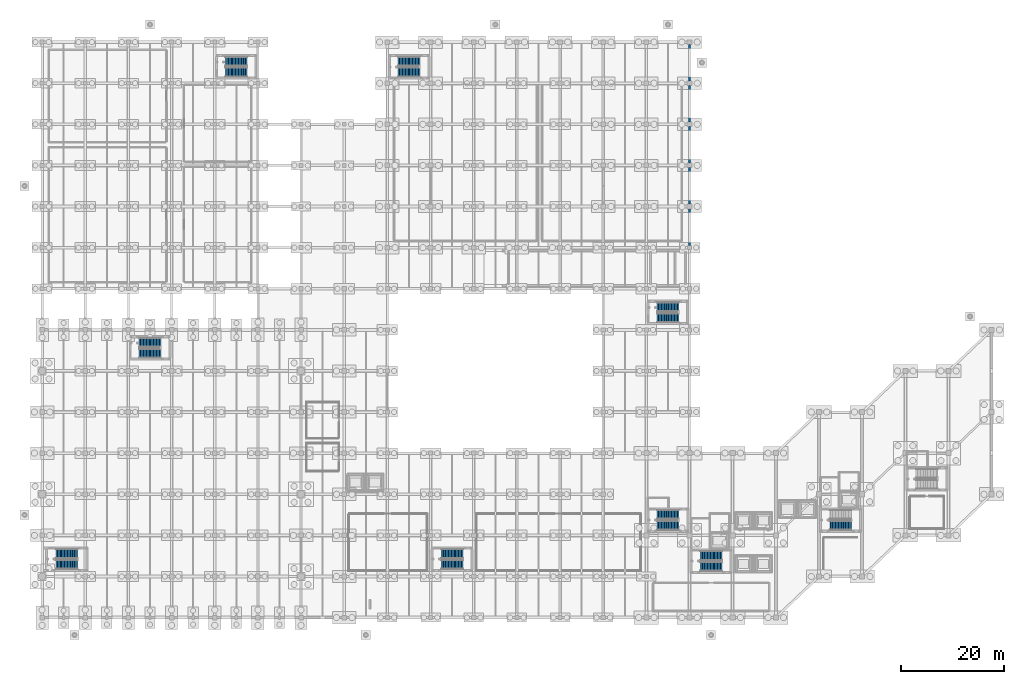
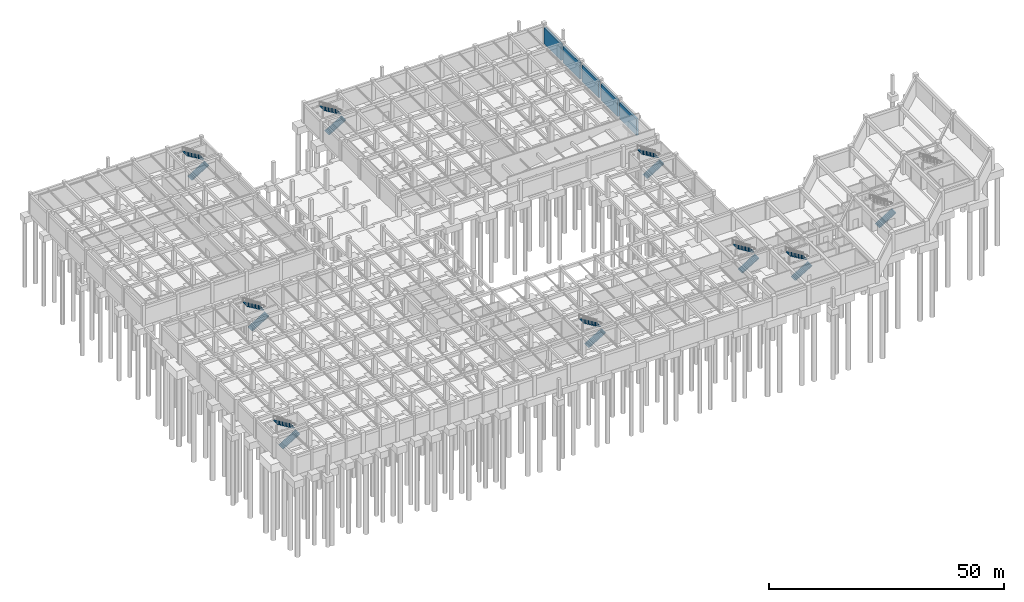
# One storey, part 44 of 56: 17 stair flights, 5 walls, 9 elements without a shape of their own.
"""IFC4 building model written with IfcOpenShell, lengths in metres."""

from ifc_helpers import new_model, si_unit, direction, frame, frame_2d, origin, place, context, subcontext, project, spatial, polyline, rectangle, outline, extrude, material, layer, layer_set, type_object, element, aggregate, save


model = new_model("IFC4")

# Units and contexts
model_context = context("Model", 3, precision=1e-05, world=origin(), true_north=direction((0.0, 1.0)))
body_context = subcontext(model_context, "Body", "Model", "MODEL_VIEW")
ifc_project = project(units=[si_unit("LENGTHUNIT", "METRE"), si_unit("AREAUNIT", "SQUARE_METRE"), si_unit("VOLUMEUNIT", "CUBIC_METRE"), si_unit("PLANEANGLEUNIT", "RADIAN"), si_unit("MASSUNIT", "GRAM", prefix="KILO")], contexts=[model_context])

# Site, building, storey
site_placement = place(None, origin())
site = spatial("IfcSite", under=ifc_project, at=site_placement, CompositionType="ELEMENT")
building_placement = place(site_placement, origin())
building = spatial("IfcBuilding", under=site, at=building_placement, Name="Naruveol Harbour Congress Hotel", CompositionType="ELEMENT")
storey_placement = place(building_placement, frame((0.0, 0.0, -5.39990234375)))
storey = spatial("IfcBuildingStorey", under=building, at=storey_placement, Name="B01", CompositionType="ELEMENT", Elevation=-5.39990234375)

# Walls
ifc_material_1 = material(Name="Concrete C40/50", Category="concrete")
ifc_layer = layer(ifc_material_1, 0.449951171875)
ifc_layer_set = layer_set([ifc_layer], Name="Concrete C40/50")
wall_type = type_object("IfcWallType", Name="RC BASEMENT RETAINING WALL 450", PredefinedType="USERDEFINED", material=ifc_layer_set)
for number, where, z_axis, x_axis, name in (
    (1, (126.0, 111.550048828125, 0.0), (0.0, 0.0, 1.0), (0.0, -1.0, 0.0), "Basement east retaining wall RW-450"),
    (2, (126.0, 103.550048828125, 0.0), (0.0, 0.0, 1.0), (0.0, -1.0, 0.0), "Basement east retaining wall RW-450"),
    (3, (126.0, 95.550048828125, 0.0), (0.0, 0.0, 1.0), (0.0, -1.0, 0.0), "Basement east retaining wall RW-450"),
    (4, (126.0, 87.550048828125, 0.0), (0.0, 0.0, 1.0), (0.0, -1.0, 0.0), "Basement east retaining wall RW-450"),
):
    element("IfcWall", number, at=place(storey_placement, frame(where, z_axis=z_axis, x_axis=x_axis)), inside=storey, type_object=wall_type, Name=name, ObjectType="RETAININGWALL", PredefinedType="USERDEFINED", context=body_context, shape_type="SweptSolid", body=[
        extrude(rectangle(XDim=7.10009765625, YDim=0.449951171875, at=frame_2d((3.550048828125, 0.0))), origin(), (0.0, 0.0, 1.0), 4.2998046875),
    ])
wall_placement = place(storey_placement, frame((126.0, 79.550048828125, 0.0), z_axis=(0.0, 0.0, 1.0), x_axis=(0.0, -1.0, 0.0)))
element("IfcWall", 5, at=wall_placement, inside=storey, type_object=wall_type, Name="Basement east retaining wall RW-450", ObjectType="RETAININGWALL", PredefinedType="USERDEFINED", context=body_context, shape_type="SweptSolid", body=[
    extrude(rectangle(XDim=7.150146484375, YDim=0.449951171875, at=frame_2d((3.5751953125, 0.0))), origin(), (0.0, 0.0, 1.0), 4.2998046875),
])

# Stair, stair flights
ifc_material_2 = material(Name="Concrete C40/50", Category="concrete")
stair_type = type_object("IfcStairType", Name="RC DOG LEG ESCAPE STAIR 1800W H5400", PredefinedType="HALF_TURN_STAIR", material=ifc_material_2)
stair_1_placement = place(storey_placement, origin())
stair_1 = element("IfcStair", 6, at=stair_1_placement, inside=storey, type_object=stair_type, Name="Special Escape Stair ST1 B01 to L00", PredefinedType="HALF_TURN_STAIR")
ifc_material_3 = material(Name="Concrete C40/50", Category="concrete")
stair_flight_type = type_object("IfcStairFlightType", Name="RC STRAIGHT STAIR FLIGHT 1800W R16", PredefinedType="STRAIGHT", material=ifc_material_3)
stair_flight_1_placement = place(storey_placement, frame((128.10009765625, 9.919921875, 0.0), z_axis=(0.0, 0.0, 1.0), x_axis=(1.0, 0.0, 0.0)))
stair_flight_1 = element("IfcStairFlight", 7, at=stair_flight_1_placement, type_object=stair_flight_type, Name="ST1 B01 lower flight", NumberOfRisers=16, NumberOfTreads=15, PredefinedType="STRAIGHT", RiserHeight=0.16875, TreadLength=0.28, context=body_context, shape_type="SweptSolid", body=[
    extrude(outline(polyline([(0.0, 0.0), (0.0, 0.168701171875), (0.280029296875, 0.168701171875), (0.280029296875, 0.33740234375), (0.56005859375, 0.33740234375), (0.56005859375, 0.50634765625), (0.840087890625, 0.50634765625), (0.840087890625, 0.675048828125), (1.1201171875, 0.675048828125), (1.1201171875, 0.84375), (1.39990234375, 0.84375), (1.39990234375, 1.012451171875), (1.679931640625, 1.012451171875), (1.679931640625, 1.18115234375), (1.9599609375, 1.18115234375), (1.9599609375, 1.35009765625), (2.239990234375, 1.35009765625), (2.239990234375, 1.518798828125), (2.52001953125, 1.518798828125), (2.52001953125, 1.6875), (2.800048828125, 1.6875), (2.800048828125, 1.856201171875), (3.080078125, 1.856201171875), (3.080078125, 2.02490234375), (3.360107421875, 2.02490234375), (3.360107421875, 2.19384765625), (3.639892578125, 2.19384765625), (3.639892578125, 2.362548828125), (3.919921875, 2.362548828125), (3.919921875, 2.53125), (4.199951171875, 2.53125), (4.199951171875, 2.699951171875), (4.199951171875, 2.344482421875), (0.309814453125, 0.0), (0.0, 0.0)])), frame((0.0, 0.89990234375, 0.0), z_axis=(0.0, -1.0, 0.0), x_axis=(1.0, 0.0, 0.0)), (0.0, 0.0, 1.0), 1.800048828125),
])
stair_flight_2_placement = place(storey_placement, frame((132.300048828125, 12.0400390625, 2.699951171875), z_axis=(0.0, 0.0, 1.0), x_axis=(-1.0, 0.0, 0.0)))
stair_flight_2 = element("IfcStairFlight", 8, at=stair_flight_2_placement, type_object=stair_flight_type, Name="ST1 B01 upper flight", NumberOfRisers=16, NumberOfTreads=15, PredefinedType="STRAIGHT", RiserHeight=0.16875, TreadLength=0.28, context=body_context, shape_type="SweptSolid", body=[
    extrude(outline(polyline([(0.0, 0.0), (0.0, 0.168701171875), (0.280029296875, 0.168701171875), (0.280029296875, 0.33740234375), (0.56005859375, 0.33740234375), (0.56005859375, 0.50634765625), (0.840087890625, 0.50634765625), (0.840087890625, 0.675048828125), (1.1201171875, 0.675048828125), (1.1201171875, 0.84375), (1.39990234375, 0.84375), (1.39990234375, 1.012451171875), (1.679931640625, 1.012451171875), (1.679931640625, 1.18115234375), (1.9599609375, 1.18115234375), (1.9599609375, 1.35009765625), (2.239990234375, 1.35009765625), (2.239990234375, 1.518798828125), (2.52001953125, 1.518798828125), (2.52001953125, 1.6875), (2.800048828125, 1.6875), (2.800048828125, 1.856201171875), (3.080078125, 1.856201171875), (3.080078125, 2.02490234375), (3.360107421875, 2.02490234375), (3.360107421875, 2.19384765625), (3.639892578125, 2.19384765625), (3.639892578125, 2.362548828125), (3.919921875, 2.362548828125), (3.919921875, 2.53125), (4.199951171875, 2.53125), (4.199951171875, 2.699951171875), (4.199951171875, 2.344482421875), (0.309814453125, 0.0), (0.0, 0.0)])), frame((0.0, 0.89990234375, 0.0), z_axis=(0.0, -1.0, 0.0), x_axis=(1.0, 0.0, 0.0)), (0.0, 0.0, 1.0), 1.800048828125),
])
aggregate(stair_1, [stair_flight_1, stair_flight_2])

# Stair, stair flight
stair_2_placement = place(storey_placement, origin())
stair_2 = element("IfcStair", 9, at=stair_2_placement, inside=storey, type_object=stair_type, Name="Special Escape Stair ST2 B01 to L00", PredefinedType="HALF_TURN_STAIR")
stair_flight_3_placement = place(storey_placement, frame((153.300048828125, 17.919921875, 0.0), z_axis=(0.0, 0.0, 1.0), x_axis=(1.0, 0.0, 0.0)))
stair_flight_3 = element("IfcStairFlight", 10, at=stair_flight_3_placement, type_object=stair_flight_type, Name="ST2 B01 lower flight", NumberOfRisers=16, NumberOfTreads=15, PredefinedType="STRAIGHT", RiserHeight=0.16875, TreadLength=0.28, context=body_context, shape_type="SweptSolid", body=[
    extrude(outline(polyline([(0.0, 0.0), (0.0, 0.168701171875), (0.280029296875, 0.168701171875), (0.280029296875, 0.33740234375), (0.56005859375, 0.33740234375), (0.56005859375, 0.50634765625), (0.840087890625, 0.50634765625), (0.840087890625, 0.675048828125), (1.1201171875, 0.675048828125), (1.1201171875, 0.84375), (1.39990234375, 0.84375), (1.39990234375, 1.012451171875), (1.679931640625, 1.012451171875), (1.679931640625, 1.18115234375), (1.9599609375, 1.18115234375), (1.9599609375, 1.35009765625), (2.239990234375, 1.35009765625), (2.239990234375, 1.518798828125), (2.52001953125, 1.518798828125), (2.52001953125, 1.6875), (2.800048828125, 1.6875), (2.800048828125, 1.856201171875), (3.080078125, 1.856201171875), (3.080078125, 2.02490234375), (3.360107421875, 2.02490234375), (3.360107421875, 2.19384765625), (3.639892578125, 2.19384765625), (3.639892578125, 2.362548828125), (3.919921875, 2.362548828125), (3.919921875, 2.53125), (4.199951171875, 2.53125), (4.199951171875, 2.699951171875), (4.199951171875, 2.344482421875), (0.309814453125, 0.0), (0.0, 0.0)])), frame((0.0, 0.89990234375, 0.0), z_axis=(0.0, -1.0, 0.0), x_axis=(1.0, 0.0, 0.0)), (0.0, 0.0, 1.0), 1.800048828125),
])
aggregate(stair_2, [stair_flight_3])

# Stair, stair flights
stair_3_placement = place(storey_placement, origin())
stair_3 = element("IfcStair", 11, at=stair_3_placement, inside=storey, type_object=stair_type, Name="Special Escape Stair ST3 B01 to L00", PredefinedType="HALF_TURN_STAIR")
stair_flight_4_placement = place(storey_placement, frame((119.699951171875, 17.919921875, 0.0), z_axis=(0.0, 0.0, 1.0), x_axis=(1.0, 0.0, 0.0)))
stair_flight_4 = element("IfcStairFlight", 12, at=stair_flight_4_placement, type_object=stair_flight_type, Name="ST3 B01 lower flight", NumberOfRisers=16, NumberOfTreads=15, PredefinedType="STRAIGHT", RiserHeight=0.16875, TreadLength=0.28, context=body_context, shape_type="SweptSolid", body=[
    extrude(outline(polyline([(0.0, 0.0), (0.0, 0.168701171875), (0.280029296875, 0.168701171875), (0.280029296875, 0.33740234375), (0.56005859375, 0.33740234375), (0.56005859375, 0.50634765625), (0.840087890625, 0.50634765625), (0.840087890625, 0.675048828125), (1.1201171875, 0.675048828125), (1.1201171875, 0.84375), (1.39990234375, 0.84375), (1.39990234375, 1.012451171875), (1.679931640625, 1.012451171875), (1.679931640625, 1.18115234375), (1.9599609375, 1.18115234375), (1.9599609375, 1.35009765625), (2.239990234375, 1.35009765625), (2.239990234375, 1.518798828125), (2.52001953125, 1.518798828125), (2.52001953125, 1.6875), (2.800048828125, 1.6875), (2.800048828125, 1.856201171875), (3.080078125, 1.856201171875), (3.080078125, 2.02490234375), (3.360107421875, 2.02490234375), (3.360107421875, 2.19384765625), (3.639892578125, 2.19384765625), (3.639892578125, 2.362548828125), (3.919921875, 2.362548828125), (3.919921875, 2.53125), (4.199951171875, 2.53125), (4.199951171875, 2.699951171875), (4.199951171875, 2.344482421875), (0.309814453125, 0.0), (0.0, 0.0)])), frame((0.0, 0.89990234375, 0.0), z_axis=(0.0, -1.0, 0.0), x_axis=(1.0, 0.0, 0.0)), (0.0, 0.0, 1.0), 1.800048828125),
])
stair_flight_5_placement = place(storey_placement, frame((123.89990234375, 20.0400390625, 2.699951171875), z_axis=(0.0, 0.0, 1.0), x_axis=(-1.0, 0.0, 0.0)))
stair_flight_5 = element("IfcStairFlight", 13, at=stair_flight_5_placement, type_object=stair_flight_type, Name="ST3 B01 upper flight", NumberOfRisers=16, NumberOfTreads=15, PredefinedType="STRAIGHT", RiserHeight=0.16875, TreadLength=0.28, context=body_context, shape_type="SweptSolid", body=[
    extrude(outline(polyline([(0.0, 0.0), (0.0, 0.168701171875), (0.280029296875, 0.168701171875), (0.280029296875, 0.33740234375), (0.56005859375, 0.33740234375), (0.56005859375, 0.50634765625), (0.840087890625, 0.50634765625), (0.840087890625, 0.675048828125), (1.1201171875, 0.675048828125), (1.1201171875, 0.84375), (1.39990234375, 0.84375), (1.39990234375, 1.012451171875), (1.679931640625, 1.012451171875), (1.679931640625, 1.18115234375), (1.9599609375, 1.18115234375), (1.9599609375, 1.35009765625), (2.239990234375, 1.35009765625), (2.239990234375, 1.518798828125), (2.52001953125, 1.518798828125), (2.52001953125, 1.6875), (2.800048828125, 1.6875), (2.800048828125, 1.856201171875), (3.080078125, 1.856201171875), (3.080078125, 2.02490234375), (3.360107421875, 2.02490234375), (3.360107421875, 2.19384765625), (3.639892578125, 2.19384765625), (3.639892578125, 2.362548828125), (3.919921875, 2.362548828125), (3.919921875, 2.53125), (4.199951171875, 2.53125), (4.199951171875, 2.699951171875), (4.199951171875, 2.344482421875), (0.309814453125, 0.0), (0.0, 0.0)])), frame((0.0, 0.89990234375, 0.0), z_axis=(0.0, -1.0, 0.0), x_axis=(1.0, 0.0, 0.0)), (0.0, 0.0, 1.0), 1.800048828125),
])
aggregate(stair_3, [stair_flight_4, stair_flight_5])

stair_4_placement = place(storey_placement, origin())
stair_4 = element("IfcStair", 14, at=stair_4_placement, inside=storey, type_object=stair_type, Name="Congress West Exit Stair ST5 B01 to L00", PredefinedType="HALF_TURN_STAIR")
stair_flight_6_placement = place(storey_placement, frame((2.699951171875, 10.320068359375, 0.0), z_axis=(0.0, 0.0, 1.0), x_axis=(1.0, 0.0, 0.0)))
stair_flight_6 = element("IfcStairFlight", 15, at=stair_flight_6_placement, type_object=stair_flight_type, Name="ST5 B01 lower flight", NumberOfRisers=16, NumberOfTreads=15, PredefinedType="STRAIGHT", RiserHeight=0.16875, TreadLength=0.28, context=body_context, shape_type="SweptSolid", body=[
    extrude(outline(polyline([(0.0, 0.0), (0.0, 0.168701171875), (0.280029296875, 0.168701171875), (0.280029296875, 0.33740234375), (0.56005859375, 0.33740234375), (0.56005859375, 0.50634765625), (0.840087890625, 0.50634765625), (0.840087890625, 0.675048828125), (1.1201171875, 0.675048828125), (1.1201171875, 0.84375), (1.39990234375, 0.84375), (1.39990234375, 1.012451171875), (1.679931640625, 1.012451171875), (1.679931640625, 1.18115234375), (1.9599609375, 1.18115234375), (1.9599609375, 1.35009765625), (2.239990234375, 1.35009765625), (2.239990234375, 1.518798828125), (2.52001953125, 1.518798828125), (2.52001953125, 1.6875), (2.800048828125, 1.6875), (2.800048828125, 1.856201171875), (3.080078125, 1.856201171875), (3.080078125, 2.02490234375), (3.360107421875, 2.02490234375), (3.360107421875, 2.19384765625), (3.639892578125, 2.19384765625), (3.639892578125, 2.362548828125), (3.919921875, 2.362548828125), (3.919921875, 2.53125), (4.199951171875, 2.53125), (4.199951171875, 2.699951171875), (4.199951171875, 2.344482421875), (0.309814453125, 0.0), (0.0, 0.0)])), frame((0.0, 0.89990234375, 0.0), z_axis=(0.0, -1.0, 0.0), x_axis=(1.0, 0.0, 0.0)), (0.0, 0.0, 1.0), 1.800048828125),
])
stair_flight_7_placement = place(storey_placement, frame((6.89990234375, 12.43994140625, 2.699951171875), z_axis=(0.0, 0.0, 1.0), x_axis=(-1.0, 0.0, 0.0)))
stair_flight_7 = element("IfcStairFlight", 16, at=stair_flight_7_placement, type_object=stair_flight_type, Name="ST5 B01 upper flight", NumberOfRisers=16, NumberOfTreads=15, PredefinedType="STRAIGHT", RiserHeight=0.16875, TreadLength=0.28, context=body_context, shape_type="SweptSolid", body=[
    extrude(outline(polyline([(0.0, 0.0), (0.0, 0.168701171875), (0.280029296875, 0.168701171875), (0.280029296875, 0.33740234375), (0.56005859375, 0.33740234375), (0.56005859375, 0.50634765625), (0.840087890625, 0.50634765625), (0.840087890625, 0.675048828125), (1.1201171875, 0.675048828125), (1.1201171875, 0.84375), (1.39990234375, 0.84375), (1.39990234375, 1.012451171875), (1.679931640625, 1.012451171875), (1.679931640625, 1.18115234375), (1.9599609375, 1.18115234375), (1.9599609375, 1.35009765625), (2.239990234375, 1.35009765625), (2.239990234375, 1.518798828125), (2.52001953125, 1.518798828125), (2.52001953125, 1.6875), (2.800048828125, 1.6875), (2.800048828125, 1.856201171875), (3.080078125, 1.856201171875), (3.080078125, 2.02490234375), (3.360107421875, 2.02490234375), (3.360107421875, 2.19384765625), (3.639892578125, 2.19384765625), (3.639892578125, 2.362548828125), (3.919921875, 2.362548828125), (3.919921875, 2.53125), (4.199951171875, 2.53125), (4.199951171875, 2.699951171875), (4.199951171875, 2.344482421875), (0.309814453125, 0.0), (0.0, 0.0)])), frame((0.0, 0.89990234375, 0.0), z_axis=(0.0, -1.0, 0.0), x_axis=(1.0, 0.0, 0.0)), (0.0, 0.0, 1.0), 1.800048828125),
])
aggregate(stair_4, [stair_flight_6, stair_flight_7])

stair_5_placement = place(storey_placement, origin())
stair_5 = element("IfcStair", 17, at=stair_5_placement, inside=storey, type_object=stair_type, Name="Congress North Exit Stair ST6 B01 to L00", PredefinedType="HALF_TURN_STAIR")
stair_flight_8_placement = place(storey_placement, frame((18.89990234375, 51.419921875, 0.0), z_axis=(0.0, 0.0, 1.0), x_axis=(1.0, 0.0, 0.0)))
stair_flight_8 = element("IfcStairFlight", 18, at=stair_flight_8_placement, type_object=stair_flight_type, Name="ST6 B01 lower flight", NumberOfRisers=16, NumberOfTreads=15, PredefinedType="STRAIGHT", RiserHeight=0.16875, TreadLength=0.28, context=body_context, shape_type="SweptSolid", body=[
    extrude(outline(polyline([(0.0, 0.0), (0.0, 0.168701171875), (0.280029296875, 0.168701171875), (0.280029296875, 0.33740234375), (0.56005859375, 0.33740234375), (0.56005859375, 0.50634765625), (0.840087890625, 0.50634765625), (0.840087890625, 0.675048828125), (1.1201171875, 0.675048828125), (1.1201171875, 0.84375), (1.39990234375, 0.84375), (1.39990234375, 1.012451171875), (1.679931640625, 1.012451171875), (1.679931640625, 1.18115234375), (1.9599609375, 1.18115234375), (1.9599609375, 1.35009765625), (2.239990234375, 1.35009765625), (2.239990234375, 1.518798828125), (2.52001953125, 1.518798828125), (2.52001953125, 1.6875), (2.800048828125, 1.6875), (2.800048828125, 1.856201171875), (3.080078125, 1.856201171875), (3.080078125, 2.02490234375), (3.360107421875, 2.02490234375), (3.360107421875, 2.19384765625), (3.639892578125, 2.19384765625), (3.639892578125, 2.362548828125), (3.919921875, 2.362548828125), (3.919921875, 2.53125), (4.199951171875, 2.53125), (4.199951171875, 2.699951171875), (4.199951171875, 2.344482421875), (0.309814453125, 0.0), (0.0, 0.0)])), frame((0.0, 0.89990234375, 0.0), z_axis=(0.0, -1.0, 0.0), x_axis=(1.0, 0.0, 0.0)), (0.0, 0.0, 1.0), 1.800048828125),
])
stair_flight_9_placement = place(storey_placement, frame((23.10009765625, 53.5400390625, 2.699951171875), z_axis=(0.0, 0.0, 1.0), x_axis=(-1.0, 0.0, 0.0)))
stair_flight_9 = element("IfcStairFlight", 19, at=stair_flight_9_placement, type_object=stair_flight_type, Name="ST6 B01 upper flight", NumberOfRisers=16, NumberOfTreads=15, PredefinedType="STRAIGHT", RiserHeight=0.16875, TreadLength=0.28, context=body_context, shape_type="SweptSolid", body=[
    extrude(outline(polyline([(0.0, 0.0), (0.0, 0.168701171875), (0.280029296875, 0.168701171875), (0.280029296875, 0.33740234375), (0.56005859375, 0.33740234375), (0.56005859375, 0.50634765625), (0.840087890625, 0.50634765625), (0.840087890625, 0.675048828125), (1.1201171875, 0.675048828125), (1.1201171875, 0.84375), (1.39990234375, 0.84375), (1.39990234375, 1.012451171875), (1.679931640625, 1.012451171875), (1.679931640625, 1.18115234375), (1.9599609375, 1.18115234375), (1.9599609375, 1.35009765625), (2.239990234375, 1.35009765625), (2.239990234375, 1.518798828125), (2.52001953125, 1.518798828125), (2.52001953125, 1.6875), (2.800048828125, 1.6875), (2.800048828125, 1.856201171875), (3.080078125, 1.856201171875), (3.080078125, 2.02490234375), (3.360107421875, 2.02490234375), (3.360107421875, 2.19384765625), (3.639892578125, 2.19384765625), (3.639892578125, 2.362548828125), (3.919921875, 2.362548828125), (3.919921875, 2.53125), (4.199951171875, 2.53125), (4.199951171875, 2.699951171875), (4.199951171875, 2.344482421875), (0.309814453125, 0.0), (0.0, 0.0)])), frame((0.0, 0.89990234375, 0.0), z_axis=(0.0, -1.0, 0.0), x_axis=(1.0, 0.0, 0.0)), (0.0, 0.0, 1.0), 1.800048828125),
])
aggregate(stair_5, [stair_flight_8, stair_flight_9])

stair_6_placement = place(storey_placement, origin())
stair_6 = element("IfcStair", 20, at=stair_6_placement, inside=storey, type_object=stair_type, Name="Thermal Spa Exit Stair ST7 B01 to L00", PredefinedType="HALF_TURN_STAIR")
stair_flight_10_placement = place(storey_placement, frame((35.699951171875, 106.1201171875, 0.0), z_axis=(0.0, 0.0, 1.0), x_axis=(1.0, 0.0, 0.0)))
stair_flight_10 = element("IfcStairFlight", 21, at=stair_flight_10_placement, type_object=stair_flight_type, Name="ST7 B01 lower flight", NumberOfRisers=16, NumberOfTreads=15, PredefinedType="STRAIGHT", RiserHeight=0.16875, TreadLength=0.28, context=body_context, shape_type="SweptSolid", body=[
    extrude(outline(polyline([(0.0, 0.0), (0.0, 0.168701171875), (0.280029296875, 0.168701171875), (0.280029296875, 0.33740234375), (0.56005859375, 0.33740234375), (0.56005859375, 0.50634765625), (0.840087890625, 0.50634765625), (0.840087890625, 0.675048828125), (1.1201171875, 0.675048828125), (1.1201171875, 0.84375), (1.39990234375, 0.84375), (1.39990234375, 1.012451171875), (1.679931640625, 1.012451171875), (1.679931640625, 1.18115234375), (1.9599609375, 1.18115234375), (1.9599609375, 1.35009765625), (2.239990234375, 1.35009765625), (2.239990234375, 1.518798828125), (2.52001953125, 1.518798828125), (2.52001953125, 1.6875), (2.800048828125, 1.6875), (2.800048828125, 1.856201171875), (3.080078125, 1.856201171875), (3.080078125, 2.02490234375), (3.360107421875, 2.02490234375), (3.360107421875, 2.19384765625), (3.639892578125, 2.19384765625), (3.639892578125, 2.362548828125), (3.919921875, 2.362548828125), (3.919921875, 2.53125), (4.199951171875, 2.53125), (4.199951171875, 2.699951171875), (4.199951171875, 2.344482421875), (0.309814453125, 0.0), (0.0, 0.0)])), frame((0.0, 0.89990234375, 0.0), z_axis=(0.0, -1.0, 0.0), x_axis=(1.0, 0.0, 0.0)), (0.0, 0.0, 1.0), 1.800048828125),
])
stair_flight_11_placement = place(storey_placement, frame((39.89990234375, 108.239990234375, 2.699951171875), z_axis=(0.0, 0.0, 1.0), x_axis=(-1.0, 0.0, 0.0)))
stair_flight_11 = element("IfcStairFlight", 22, at=stair_flight_11_placement, type_object=stair_flight_type, Name="ST7 B01 upper flight", NumberOfRisers=16, NumberOfTreads=15, PredefinedType="STRAIGHT", RiserHeight=0.16875, TreadLength=0.28, context=body_context, shape_type="SweptSolid", body=[
    extrude(outline(polyline([(0.0, 0.0), (0.0, 0.168701171875), (0.280029296875, 0.168701171875), (0.280029296875, 0.33740234375), (0.56005859375, 0.33740234375), (0.56005859375, 0.50634765625), (0.840087890625, 0.50634765625), (0.840087890625, 0.675048828125), (1.1201171875, 0.675048828125), (1.1201171875, 0.84375), (1.39990234375, 0.84375), (1.39990234375, 1.012451171875), (1.679931640625, 1.012451171875), (1.679931640625, 1.18115234375), (1.9599609375, 1.18115234375), (1.9599609375, 1.35009765625), (2.239990234375, 1.35009765625), (2.239990234375, 1.518798828125), (2.52001953125, 1.518798828125), (2.52001953125, 1.6875), (2.800048828125, 1.6875), (2.800048828125, 1.856201171875), (3.080078125, 1.856201171875), (3.080078125, 2.02490234375), (3.360107421875, 2.02490234375), (3.360107421875, 2.19384765625), (3.639892578125, 2.19384765625), (3.639892578125, 2.362548828125), (3.919921875, 2.362548828125), (3.919921875, 2.53125), (4.199951171875, 2.53125), (4.199951171875, 2.699951171875), (4.199951171875, 2.344482421875), (0.309814453125, 0.0), (0.0, 0.0)])), frame((0.0, 0.89990234375, 0.0), z_axis=(0.0, -1.0, 0.0), x_axis=(1.0, 0.0, 0.0)), (0.0, 0.0, 1.0), 1.800048828125),
])
aggregate(stair_6, [stair_flight_10, stair_flight_11])

stair_7_placement = place(storey_placement, origin())
stair_7 = element("IfcStair", 23, at=stair_7_placement, inside=storey, type_object=stair_type, Name="Ballroom West Exit Stair ST8 B01 to L00", PredefinedType="HALF_TURN_STAIR")
stair_flight_12_placement = place(storey_placement, frame((69.300048828125, 106.1201171875, 0.0), z_axis=(0.0, 0.0, 1.0), x_axis=(1.0, 0.0, 0.0)))
stair_flight_12 = element("IfcStairFlight", 24, at=stair_flight_12_placement, type_object=stair_flight_type, Name="ST8 B01 lower flight", NumberOfRisers=16, NumberOfTreads=15, PredefinedType="STRAIGHT", RiserHeight=0.16875, TreadLength=0.28, context=body_context, shape_type="SweptSolid", body=[
    extrude(outline(polyline([(0.0, 0.0), (0.0, 0.168701171875), (0.280029296875, 0.168701171875), (0.280029296875, 0.33740234375), (0.56005859375, 0.33740234375), (0.56005859375, 0.50634765625), (0.840087890625, 0.50634765625), (0.840087890625, 0.675048828125), (1.1201171875, 0.675048828125), (1.1201171875, 0.84375), (1.39990234375, 0.84375), (1.39990234375, 1.012451171875), (1.679931640625, 1.012451171875), (1.679931640625, 1.18115234375), (1.9599609375, 1.18115234375), (1.9599609375, 1.35009765625), (2.239990234375, 1.35009765625), (2.239990234375, 1.518798828125), (2.52001953125, 1.518798828125), (2.52001953125, 1.6875), (2.800048828125, 1.6875), (2.800048828125, 1.856201171875), (3.080078125, 1.856201171875), (3.080078125, 2.02490234375), (3.360107421875, 2.02490234375), (3.360107421875, 2.19384765625), (3.639892578125, 2.19384765625), (3.639892578125, 2.362548828125), (3.919921875, 2.362548828125), (3.919921875, 2.53125), (4.199951171875, 2.53125), (4.199951171875, 2.699951171875), (4.199951171875, 2.344482421875), (0.309814453125, 0.0), (0.0, 0.0)])), frame((0.0, 0.89990234375, 0.0), z_axis=(0.0, -1.0, 0.0), x_axis=(1.0, 0.0, 0.0)), (0.0, 0.0, 1.0), 1.800048828125),
])
stair_flight_13_placement = place(storey_placement, frame((73.5, 108.239990234375, 2.699951171875), z_axis=(0.0, 0.0, 1.0), x_axis=(-1.0, 0.0, 0.0)))
stair_flight_13 = element("IfcStairFlight", 25, at=stair_flight_13_placement, type_object=stair_flight_type, Name="ST8 B01 upper flight", NumberOfRisers=16, NumberOfTreads=15, PredefinedType="STRAIGHT", RiserHeight=0.16875, TreadLength=0.28, context=body_context, shape_type="SweptSolid", body=[
    extrude(outline(polyline([(0.0, 0.0), (0.0, 0.168701171875), (0.280029296875, 0.168701171875), (0.280029296875, 0.33740234375), (0.56005859375, 0.33740234375), (0.56005859375, 0.50634765625), (0.840087890625, 0.50634765625), (0.840087890625, 0.675048828125), (1.1201171875, 0.675048828125), (1.1201171875, 0.84375), (1.39990234375, 0.84375), (1.39990234375, 1.012451171875), (1.679931640625, 1.012451171875), (1.679931640625, 1.18115234375), (1.9599609375, 1.18115234375), (1.9599609375, 1.35009765625), (2.239990234375, 1.35009765625), (2.239990234375, 1.518798828125), (2.52001953125, 1.518798828125), (2.52001953125, 1.6875), (2.800048828125, 1.6875), (2.800048828125, 1.856201171875), (3.080078125, 1.856201171875), (3.080078125, 2.02490234375), (3.360107421875, 2.02490234375), (3.360107421875, 2.19384765625), (3.639892578125, 2.19384765625), (3.639892578125, 2.362548828125), (3.919921875, 2.362548828125), (3.919921875, 2.53125), (4.199951171875, 2.53125), (4.199951171875, 2.699951171875), (4.199951171875, 2.344482421875), (0.309814453125, 0.0), (0.0, 0.0)])), frame((0.0, 0.89990234375, 0.0), z_axis=(0.0, -1.0, 0.0), x_axis=(1.0, 0.0, 0.0)), (0.0, 0.0, 1.0), 1.800048828125),
])
aggregate(stair_7, [stair_flight_12, stair_flight_13])

stair_8_placement = place(storey_placement, origin())
stair_8 = element("IfcStair", 26, at=stair_8_placement, inside=storey, type_object=stair_type, Name="Courtyard North-East Exit Stair ST9 B01 to L00", PredefinedType="HALF_TURN_STAIR")
stair_flight_14_placement = place(storey_placement, frame((119.699951171875, 58.320068359375, 0.0), z_axis=(0.0, 0.0, 1.0), x_axis=(1.0, 0.0, 0.0)))
stair_flight_14 = element("IfcStairFlight", 27, at=stair_flight_14_placement, type_object=stair_flight_type, Name="ST9 B01 lower flight", NumberOfRisers=16, NumberOfTreads=15, PredefinedType="STRAIGHT", RiserHeight=0.16875, TreadLength=0.28, context=body_context, shape_type="SweptSolid", body=[
    extrude(outline(polyline([(0.0, 0.0), (0.0, 0.168701171875), (0.280029296875, 0.168701171875), (0.280029296875, 0.33740234375), (0.56005859375, 0.33740234375), (0.56005859375, 0.50634765625), (0.840087890625, 0.50634765625), (0.840087890625, 0.675048828125), (1.1201171875, 0.675048828125), (1.1201171875, 0.84375), (1.39990234375, 0.84375), (1.39990234375, 1.012451171875), (1.679931640625, 1.012451171875), (1.679931640625, 1.18115234375), (1.9599609375, 1.18115234375), (1.9599609375, 1.35009765625), (2.239990234375, 1.35009765625), (2.239990234375, 1.518798828125), (2.52001953125, 1.518798828125), (2.52001953125, 1.6875), (2.800048828125, 1.6875), (2.800048828125, 1.856201171875), (3.080078125, 1.856201171875), (3.080078125, 2.02490234375), (3.360107421875, 2.02490234375), (3.360107421875, 2.19384765625), (3.639892578125, 2.19384765625), (3.639892578125, 2.362548828125), (3.919921875, 2.362548828125), (3.919921875, 2.53125), (4.199951171875, 2.53125), (4.199951171875, 2.699951171875), (4.199951171875, 2.344482421875), (0.309814453125, 0.0), (0.0, 0.0)])), frame((0.0, 0.89990234375, 0.0), z_axis=(0.0, -1.0, 0.0), x_axis=(1.0, 0.0, 0.0)), (0.0, 0.0, 1.0), 1.800048828125),
])
stair_flight_15_placement = place(storey_placement, frame((123.89990234375, 60.43994140625, 2.699951171875), z_axis=(0.0, 0.0, 1.0), x_axis=(-1.0, 0.0, 0.0)))
stair_flight_15 = element("IfcStairFlight", 28, at=stair_flight_15_placement, type_object=stair_flight_type, Name="ST9 B01 upper flight", NumberOfRisers=16, NumberOfTreads=15, PredefinedType="STRAIGHT", RiserHeight=0.16875, TreadLength=0.28, context=body_context, shape_type="SweptSolid", body=[
    extrude(outline(polyline([(0.0, 0.0), (0.0, 0.168701171875), (0.280029296875, 0.168701171875), (0.280029296875, 0.33740234375), (0.56005859375, 0.33740234375), (0.56005859375, 0.50634765625), (0.840087890625, 0.50634765625), (0.840087890625, 0.675048828125), (1.1201171875, 0.675048828125), (1.1201171875, 0.84375), (1.39990234375, 0.84375), (1.39990234375, 1.012451171875), (1.679931640625, 1.012451171875), (1.679931640625, 1.18115234375), (1.9599609375, 1.18115234375), (1.9599609375, 1.35009765625), (2.239990234375, 1.35009765625), (2.239990234375, 1.518798828125), (2.52001953125, 1.518798828125), (2.52001953125, 1.6875), (2.800048828125, 1.6875), (2.800048828125, 1.856201171875), (3.080078125, 1.856201171875), (3.080078125, 2.02490234375), (3.360107421875, 2.02490234375), (3.360107421875, 2.19384765625), (3.639892578125, 2.19384765625), (3.639892578125, 2.362548828125), (3.919921875, 2.362548828125), (3.919921875, 2.53125), (4.199951171875, 2.53125), (4.199951171875, 2.699951171875), (4.199951171875, 2.344482421875), (0.309814453125, 0.0), (0.0, 0.0)])), frame((0.0, 0.89990234375, 0.0), z_axis=(0.0, -1.0, 0.0), x_axis=(1.0, 0.0, 0.0)), (0.0, 0.0, 1.0), 1.800048828125),
])
aggregate(stair_8, [stair_flight_14, stair_flight_15])

stair_9_placement = place(storey_placement, origin())
stair_9 = element("IfcStair", 29, at=stair_9_placement, inside=storey, type_object=stair_type, Name="Courtyard South-West Exit Stair ST10 B01 to L00", PredefinedType="HALF_TURN_STAIR")
stair_flight_16_placement = place(storey_placement, frame((77.699951171875, 10.320068359375, 0.0), z_axis=(0.0, 0.0, 1.0), x_axis=(1.0, 0.0, 0.0)))
stair_flight_16 = element("IfcStairFlight", 30, at=stair_flight_16_placement, type_object=stair_flight_type, Name="ST10 B01 lower flight", NumberOfRisers=16, NumberOfTreads=15, PredefinedType="STRAIGHT", RiserHeight=0.16875, TreadLength=0.28, context=body_context, shape_type="SweptSolid", body=[
    extrude(outline(polyline([(0.0, 0.0), (0.0, 0.168701171875), (0.280029296875, 0.168701171875), (0.280029296875, 0.33740234375), (0.56005859375, 0.33740234375), (0.56005859375, 0.50634765625), (0.840087890625, 0.50634765625), (0.840087890625, 0.675048828125), (1.1201171875, 0.675048828125), (1.1201171875, 0.84375), (1.39990234375, 0.84375), (1.39990234375, 1.012451171875), (1.679931640625, 1.012451171875), (1.679931640625, 1.18115234375), (1.9599609375, 1.18115234375), (1.9599609375, 1.35009765625), (2.239990234375, 1.35009765625), (2.239990234375, 1.518798828125), (2.52001953125, 1.518798828125), (2.52001953125, 1.6875), (2.800048828125, 1.6875), (2.800048828125, 1.856201171875), (3.080078125, 1.856201171875), (3.080078125, 2.02490234375), (3.360107421875, 2.02490234375), (3.360107421875, 2.19384765625), (3.639892578125, 2.19384765625), (3.639892578125, 2.362548828125), (3.919921875, 2.362548828125), (3.919921875, 2.53125), (4.199951171875, 2.53125), (4.199951171875, 2.699951171875), (4.199951171875, 2.344482421875), (0.309814453125, 0.0), (0.0, 0.0)])), frame((0.0, 0.89990234375, 0.0), z_axis=(0.0, -1.0, 0.0), x_axis=(1.0, 0.0, 0.0)), (0.0, 0.0, 1.0), 1.800048828125),
])
stair_flight_17_placement = place(storey_placement, frame((81.89990234375, 12.43994140625, 2.699951171875), z_axis=(0.0, 0.0, 1.0), x_axis=(-1.0, 0.0, 0.0)))
stair_flight_17 = element("IfcStairFlight", 31, at=stair_flight_17_placement, type_object=stair_flight_type, Name="ST10 B01 upper flight", NumberOfRisers=16, NumberOfTreads=15, PredefinedType="STRAIGHT", RiserHeight=0.16875, TreadLength=0.28, context=body_context, shape_type="SweptSolid", body=[
    extrude(outline(polyline([(0.0, 0.0), (0.0, 0.168701171875), (0.280029296875, 0.168701171875), (0.280029296875, 0.33740234375), (0.56005859375, 0.33740234375), (0.56005859375, 0.50634765625), (0.840087890625, 0.50634765625), (0.840087890625, 0.675048828125), (1.1201171875, 0.675048828125), (1.1201171875, 0.84375), (1.39990234375, 0.84375), (1.39990234375, 1.012451171875), (1.679931640625, 1.012451171875), (1.679931640625, 1.18115234375), (1.9599609375, 1.18115234375), (1.9599609375, 1.35009765625), (2.239990234375, 1.35009765625), (2.239990234375, 1.518798828125), (2.52001953125, 1.518798828125), (2.52001953125, 1.6875), (2.800048828125, 1.6875), (2.800048828125, 1.856201171875), (3.080078125, 1.856201171875), (3.080078125, 2.02490234375), (3.360107421875, 2.02490234375), (3.360107421875, 2.19384765625), (3.639892578125, 2.19384765625), (3.639892578125, 2.362548828125), (3.919921875, 2.362548828125), (3.919921875, 2.53125), (4.199951171875, 2.53125), (4.199951171875, 2.699951171875), (4.199951171875, 2.344482421875), (0.309814453125, 0.0), (0.0, 0.0)])), frame((0.0, 0.89990234375, 0.0), z_axis=(0.0, -1.0, 0.0), x_axis=(1.0, 0.0, 0.0)), (0.0, 0.0, 1.0), 1.800048828125),
])
aggregate(stair_9, [stair_flight_16, stair_flight_17])

save(model, "model.ifc")
